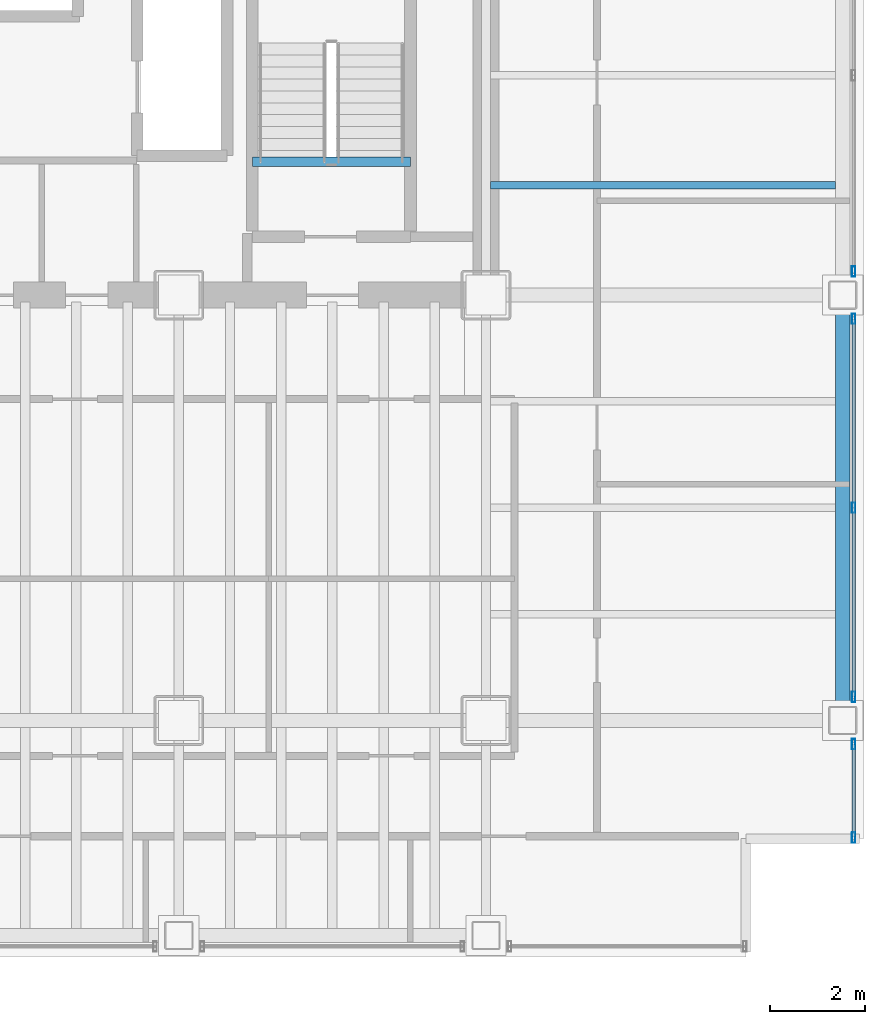
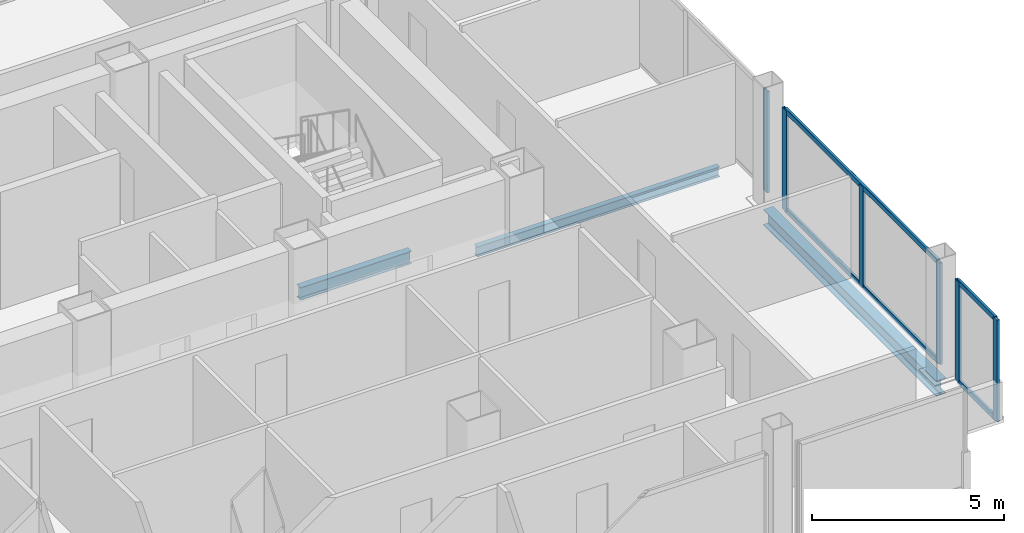
# One storey, part 11 of 21: 10 members, 3 beams, 3 elements without a shape of their own.
"""IFC4 building model written with IfcOpenShell, lengths in metres."""

from ifc_helpers import new_model, si_unit, direction, frame, origin, origin_2d, place, context, subcontext, project, spatial, hollow_rectangle, i_section, extrude, material, material_profile, profile_set, type_object, element, aggregate, save


model = new_model("IFC4")

# Units and contexts
model_context = context("Model", 3, precision=1e-05, world=origin(), true_north=direction((0.0, 1.0)))
body_context = subcontext(model_context, "Body", "Model", "MODEL_VIEW")
ifc_project = project(units=[si_unit("LENGTHUNIT", "METRE"), si_unit("AREAUNIT", "SQUARE_METRE"), si_unit("VOLUMEUNIT", "CUBIC_METRE"), si_unit("PLANEANGLEUNIT", "RADIAN"), si_unit("MASSUNIT", "GRAM", prefix="KILO")], contexts=[model_context])

# Site, building, storey
site_placement = place(None, origin())
site = spatial("IfcSite", under=ifc_project, at=site_placement, CompositionType="ELEMENT")
building_placement = place(site_placement, origin())
building = spatial("IfcBuilding", under=site, at=building_placement, Name="Noeulbin Bourse Tower", CompositionType="ELEMENT")
storey_placement = place(building_placement, frame((0.0, 0.0, 30.39990234375)))
storey = spatial("IfcBuildingStorey", under=building, at=storey_placement, Name="L07", CompositionType="ELEMENT", Elevation=30.39990234375)

# Beams
ifc_material_1 = material(Name="Steel S355", Category="steel")
ifc_material_profile_1 = material_profile(ifc_material_1, i_section(OverallWidth=0.159912109375, OverallDepth=0.320068359375, WebThickness=0.006591796875, FlangeThickness=0.010009765625, FilletRadius=0.012939453125, at=origin_2d()), Name="H-320x160x6.5x10", Category="LoadBearing")
ifc_profile_set_1 = profile_set([ifc_material_profile_1], Name="Steel S355")
beam_type_1 = type_object("IfcBeamType", Name="BM-JST-320", PredefinedType="JOIST", material=ifc_profile_set_1)
beam_1_placement = place(storey_placement, frame((44.10009765625, 31.324951171875, -0.33984375), z_axis=(1.0, 0.0, 0.0), x_axis=(0.0, 1.0, 0.0)))
element("IfcBeam", 1, at=beam_1_placement, inside=storey, type_object=beam_type_1, Name="Wing Composite Joist L07-E78", PredefinedType="JOIST", context=body_context, shape_type="SweptSolid", body=[
    extrude(i_section(OverallWidth=0.159912109375, OverallDepth=0.320068359375, WebThickness=0.006591796875, FlangeThickness=0.010009765625, FilletRadius=0.012939453125, at=origin_2d()), origin(), (0.0, 0.0, 1.0), 7.2998046875),
])
ifc_material_profile_2 = material_profile(ifc_material_1, i_section(OverallWidth=0.199951171875, OverallDepth=0.39990234375, WebThickness=0.008056640625, FlangeThickness=0.012939453125, FilletRadius=0.01611328125, at=origin_2d()), Name="H-400x200x8x13", Category="LoadBearing")
ifc_profile_set_2 = profile_set([ifc_material_profile_2], Name="Steel S355")
beam_type_2 = type_object("IfcBeamType", Name="BM-SEC-400", PredefinedType="BEAM", material=ifc_profile_set_2)
beam_2_placement = place(storey_placement, frame((39.06005859375, 31.820068359375, -0.199951171875), z_axis=(1.0, 0.0, 0.0), x_axis=(0.0, 1.0, 0.0)))
element("IfcBeam", 2, at=beam_2_placement, inside=storey, type_object=beam_type_2, Name="Stair Threshold Trimmer Beam ST2-L07", PredefinedType="BEAM", context=body_context, shape_type="SweptSolid", body=[
    extrude(i_section(OverallWidth=0.199951171875, OverallDepth=0.39990234375, WebThickness=0.008056640625, FlangeThickness=0.012939453125, FilletRadius=0.01611328125, at=origin_2d()), origin(), (0.0, 0.0, 1.0), 3.33984375),
])
ifc_material_profile_3 = material_profile(ifc_material_1, i_section(OverallWidth=0.300048828125, OverallDepth=0.488037109375, WebThickness=0.010986328125, FlangeThickness=0.01806640625, FilletRadius=0.02197265625, at=origin_2d()), Name="H-488x300x11x18", Category="LoadBearing")
ifc_profile_set_3 = profile_set([ifc_material_profile_3], Name="Steel S355")
beam_type_3 = type_object("IfcBeamType", Name="BM-SPN-488", PredefinedType="SPANDREL", material=ifc_profile_set_3)
beam_3_placement = place(storey_placement, frame((51.550048828125, 20.0, -0.423828125), z_axis=(0.0, 1.0, 0.0), x_axis=(-1.0, 0.0, 0.0)))
element("IfcBeam", 3, at=beam_3_placement, inside=storey, type_object=beam_type_3, Name="East Spandrel L07-1", PredefinedType="SPANDREL", context=body_context, shape_type="SweptSolid", body=[
    extrude(i_section(OverallWidth=0.300048828125, OverallDepth=0.488037109375, WebThickness=0.010986328125, FlangeThickness=0.01806640625, FilletRadius=0.02197265625, at=origin_2d()), origin(), (0.0, 0.0, 1.0), 9.0),
])

# Curtain wall, members
ifc_material_2 = material(Name="Dark Solar-Control Double Glazing", Category="glass")
curtain_wall_type = type_object("IfcCurtainWallType", Name="CW-SYS-2", PredefinedType="NOTDEFINED", material=ifc_material_2)
curtain_wall_1_placement = place(storey_placement, origin())
curtain_wall_1 = element("IfcCurtainWall", 4, at=curtain_wall_1_placement, inside=storey, type_object=curtain_wall_type, Name="Unitised Curtain Wall CW-L07-E-S1", PredefinedType="NOTDEFINED")
ifc_material_3 = material(Name="Anodised Aluminium 6063-T6", Category="aluminium")
ifc_material_profile_4 = material_profile(ifc_material_3, hollow_rectangle(XDim=0.074951171875, YDim=0.219970703125, WallThickness=0.0048828125, InnerFilletRadius=0.00244140625, OuterFilletRadius=0.0048828125, at=origin_2d()), Name="ALU-MULL-75x220x5", Category="LoadBearing")
ifc_profile_set_4 = profile_set([ifc_material_profile_4], Name="Anodised Aluminium 6063-T6")
member_type_1 = type_object("IfcMemberType", Name="CW-SYS-2-MUL", PredefinedType="MULLION", material=ifc_profile_set_4)
member_1_placement = place(storey_placement, frame((51.780029296875, 17.52001953125, -0.02001953125), z_axis=(0.0, 0.0, 1.0), x_axis=(1.0, 0.0, 0.0)))
member_1 = element("IfcMember", 5, at=member_1_placement, type_object=member_type_1, Name="Curtain Wall Mullion CW-L07-E-S1-M00", PredefinedType="MULLION", context=body_context, shape_type="SweptSolid", body=[
    extrude(hollow_rectangle(XDim=0.074951171875, YDim=0.219970703125, WallThickness=0.0048828125, InnerFilletRadius=0.00244140625, OuterFilletRadius=0.0048828125, at=origin_2d()), origin(), (0.0, 0.0, 1.0), 3.22021484375),
])
member_2_placement = place(storey_placement, frame((51.780029296875, 19.5, -0.02001953125), z_axis=(0.0, 0.0, 1.0), x_axis=(1.0, 0.0, 0.0)))
member_2 = element("IfcMember", 6, at=member_2_placement, type_object=member_type_1, Name="Curtain Wall Mullion CW-L07-E-S1-M01", PredefinedType="MULLION", context=body_context, shape_type="SweptSolid", body=[
    extrude(hollow_rectangle(XDim=0.074951171875, YDim=0.219970703125, WallThickness=0.0048828125, InnerFilletRadius=0.00244140625, OuterFilletRadius=0.0048828125, at=origin_2d()), origin(), (0.0, 0.0, 1.0), 3.22021484375),
])

curtain_wall_2_placement = place(storey_placement, origin())
curtain_wall_2 = element("IfcCurtainWall", 7, at=curtain_wall_2_placement, inside=storey, type_object=curtain_wall_type, Name="Unitised Curtain Wall CW-L07-E-S2", PredefinedType="NOTDEFINED")
member_3_placement = place(storey_placement, frame((51.780029296875, 20.5, -0.02001953125), z_axis=(0.0, 0.0, 1.0), x_axis=(1.0, 0.0, 0.0)))
member_3 = element("IfcMember", 8, at=member_3_placement, type_object=member_type_1, Name="Curtain Wall Mullion CW-L07-E-S2-M00", PredefinedType="MULLION", context=body_context, shape_type="SweptSolid", body=[
    extrude(hollow_rectangle(XDim=0.074951171875, YDim=0.219970703125, WallThickness=0.0048828125, InnerFilletRadius=0.00244140625, OuterFilletRadius=0.0048828125, at=origin_2d()), origin(), (0.0, 0.0, 1.0), 3.22021484375),
])
member_4_placement = place(storey_placement, frame((51.780029296875, 24.5, -0.02001953125), z_axis=(0.0, 0.0, 1.0), x_axis=(1.0, 0.0, 0.0)))
member_4 = element("IfcMember", 9, at=member_4_placement, type_object=member_type_1, Name="Curtain Wall Mullion CW-L07-E-S2-M01", PredefinedType="MULLION", context=body_context, shape_type="SweptSolid", body=[
    extrude(hollow_rectangle(XDim=0.074951171875, YDim=0.219970703125, WallThickness=0.0048828125, InnerFilletRadius=0.00244140625, OuterFilletRadius=0.0048828125, at=origin_2d()), origin(), (0.0, 0.0, 1.0), 3.22021484375),
])
member_5_placement = place(storey_placement, frame((51.780029296875, 28.5, -0.02001953125), z_axis=(0.0, 0.0, 1.0), x_axis=(1.0, 0.0, 0.0)))
member_5 = element("IfcMember", 10, at=member_5_placement, type_object=member_type_1, Name="Curtain Wall Mullion CW-L07-E-S2-M02", PredefinedType="MULLION", context=body_context, shape_type="SweptSolid", body=[
    extrude(hollow_rectangle(XDim=0.074951171875, YDim=0.219970703125, WallThickness=0.0048828125, InnerFilletRadius=0.00244140625, OuterFilletRadius=0.0048828125, at=origin_2d()), origin(), (0.0, 0.0, 1.0), 3.22021484375),
])

# Curtain wall, member
curtain_wall_3_placement = place(storey_placement, origin())
curtain_wall_3 = element("IfcCurtainWall", 11, at=curtain_wall_3_placement, inside=storey, type_object=curtain_wall_type, Name="Unitised Curtain Wall CW-L07-E-S3", PredefinedType="NOTDEFINED")
member_6_placement = place(storey_placement, frame((51.780029296875, 29.5, -0.02001953125), z_axis=(0.0, 0.0, 1.0), x_axis=(1.0, 0.0, 0.0)))
member_6 = element("IfcMember", 12, at=member_6_placement, type_object=member_type_1, Name="Curtain Wall Mullion CW-L07-E-S3-M00", PredefinedType="MULLION", context=body_context, shape_type="SweptSolid", body=[
    extrude(hollow_rectangle(XDim=0.074951171875, YDim=0.219970703125, WallThickness=0.0048828125, InnerFilletRadius=0.00244140625, OuterFilletRadius=0.0048828125, at=origin_2d()), origin(), (0.0, 0.0, 1.0), 3.22021484375),
])
aggregate(curtain_wall_3, [member_6])

# Member
ifc_material_profile_5 = material_profile(ifc_material_3, hollow_rectangle(XDim=0.074951171875, YDim=0.159912109375, WallThickness=0.0048828125, InnerFilletRadius=0.00244140625, OuterFilletRadius=0.0048828125, at=origin_2d()), Name="ALU-TRAN-75x160x5", Category="LoadBearing")
ifc_profile_set_5 = profile_set([ifc_material_profile_5], Name="Anodised Aluminium 6063-T6")
member_type_2 = type_object("IfcMemberType", Name="CW-SYS-2-TRN", PredefinedType="USERDEFINED", material=ifc_profile_set_5)
member_7_placement = place(storey_placement, frame((51.780029296875, 17.530029296875, 0.010009765625), z_axis=(0.0, 1.0, 0.0), x_axis=(-1.0, 0.0, 0.0)))
member_7 = element("IfcMember", 13, at=member_7_placement, type_object=member_type_2, Name="Curtain Wall Transom CW-L07-E-S1-T00", ObjectType="TRANSOM", PredefinedType="USERDEFINED", context=body_context, shape_type="SweptSolid", body=[
    extrude(hollow_rectangle(XDim=0.074951171875, YDim=0.159912109375, WallThickness=0.0048828125, InnerFilletRadius=0.00244140625, OuterFilletRadius=0.0048828125, at=origin_2d()), origin(), (0.0, 0.0, 1.0), 1.9599609375),
])

member_8_placement = place(storey_placement, frame((51.780029296875, 17.530029296875, 3.170166015625), z_axis=(0.0, 1.0, 0.0), x_axis=(-1.0, 0.0, 0.0)))
member_8 = element("IfcMember", 14, at=member_8_placement, type_object=member_type_2, Name="Curtain Wall Transom CW-L07-E-S1-T01", ObjectType="TRANSOM", PredefinedType="USERDEFINED", context=body_context, shape_type="SweptSolid", body=[
    extrude(hollow_rectangle(XDim=0.074951171875, YDim=0.159912109375, WallThickness=0.0048828125, InnerFilletRadius=0.00244140625, OuterFilletRadius=0.0048828125, at=origin_2d()), origin(), (0.0, 0.0, 1.0), 1.9599609375),
])

aggregate(curtain_wall_1, [member_1, member_2, member_7, member_8])

member_9_placement = place(storey_placement, frame((51.780029296875, 20.510009765625, 0.010009765625), z_axis=(0.0, 1.0, 0.0), x_axis=(-1.0, 0.0, 0.0)))
member_9 = element("IfcMember", 15, at=member_9_placement, type_object=member_type_2, Name="Curtain Wall Transom CW-L07-E-S2-T00", ObjectType="TRANSOM", PredefinedType="USERDEFINED", context=body_context, shape_type="SweptSolid", body=[
    extrude(hollow_rectangle(XDim=0.074951171875, YDim=0.159912109375, WallThickness=0.0048828125, InnerFilletRadius=0.00244140625, OuterFilletRadius=0.0048828125, at=origin_2d()), origin(), (0.0, 0.0, 1.0), 7.97998046875),
])

member_10_placement = place(storey_placement, frame((51.780029296875, 20.510009765625, 3.170166015625), z_axis=(0.0, 1.0, 0.0), x_axis=(-1.0, 0.0, 0.0)))
member_10 = element("IfcMember", 16, at=member_10_placement, type_object=member_type_2, Name="Curtain Wall Transom CW-L07-E-S2-T01", ObjectType="TRANSOM", PredefinedType="USERDEFINED", context=body_context, shape_type="SweptSolid", body=[
    extrude(hollow_rectangle(XDim=0.074951171875, YDim=0.159912109375, WallThickness=0.0048828125, InnerFilletRadius=0.00244140625, OuterFilletRadius=0.0048828125, at=origin_2d()), origin(), (0.0, 0.0, 1.0), 7.97998046875),
])

aggregate(curtain_wall_2, [member_3, member_4, member_5, member_9, member_10])

save(model, "model.ifc")
